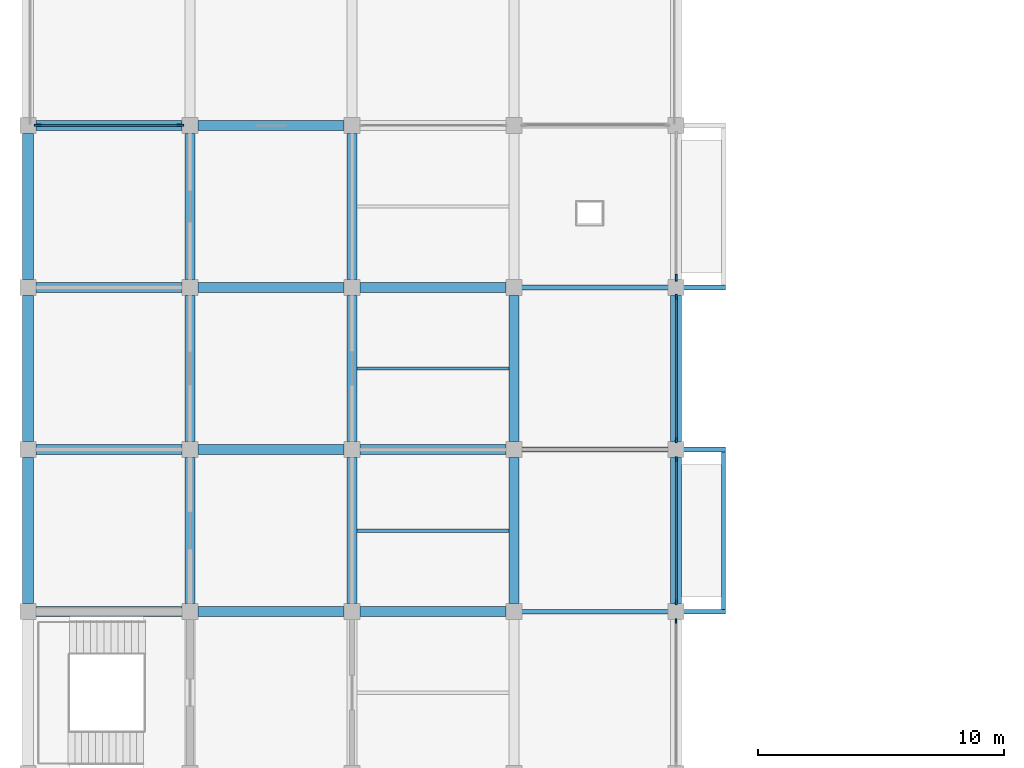
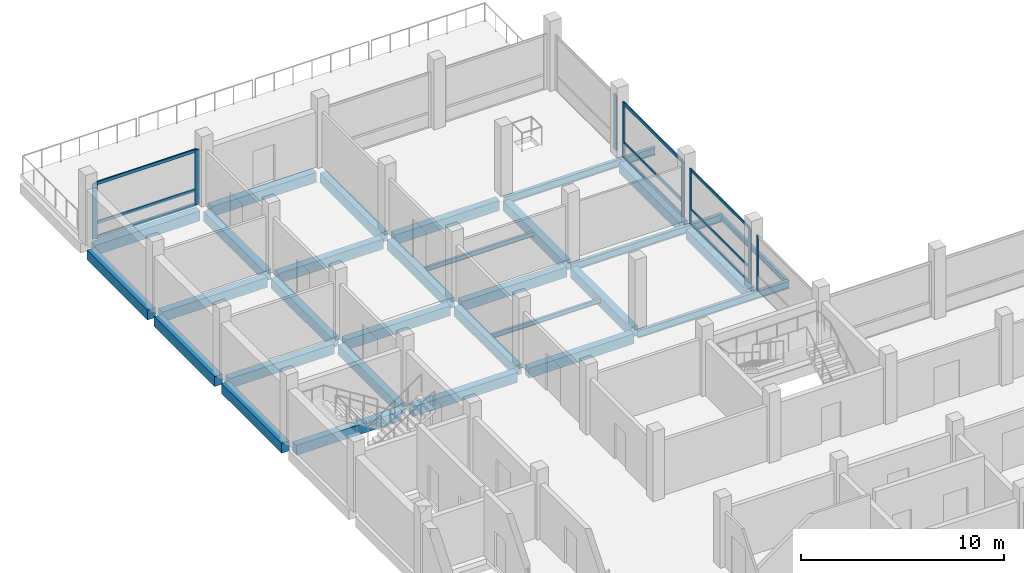
# One storey, part 4 of 11: 30 beams, 17 members, 5 elements without a shape of their own.
"""IFC4 building model written with IfcOpenShell, lengths in metres."""

from ifc_helpers import new_model, si_unit, direction, frame, origin, origin_2d, place, context, subcontext, project, spatial, rectangle, i_section, extrude, material, material_profile, profile_set, type_object, element, aggregate, save


model = new_model("IFC4")

# Units and contexts
model_context = context("Model", 3, precision=1e-05, world=origin(), true_north=direction((0.0, 1.0)))
body_context = subcontext(model_context, "Body", "Model", "MODEL_VIEW")
ifc_project = project(units=[si_unit("LENGTHUNIT", "METRE"), si_unit("AREAUNIT", "SQUARE_METRE"), si_unit("VOLUMEUNIT", "CUBIC_METRE"), si_unit("PLANEANGLEUNIT", "RADIAN"), si_unit("MASSUNIT", "GRAM", prefix="KILO")], contexts=[model_context])

# Site, building, storey
site_placement = place(None, origin())
site = spatial("IfcSite", under=ifc_project, at=site_placement, CompositionType="ELEMENT")
building_placement = place(site_placement, origin())
building = spatial("IfcBuilding", under=site, at=building_placement, Name="Rusizi Kubbe Research Institute", CompositionType="ELEMENT")
storey_placement = place(building_placement, frame((0.0, 0.0, 56.39990234375)))
storey = spatial("IfcBuildingStorey", under=building, at=storey_placement, Name="L13", CompositionType="ELEMENT", Elevation=56.39990234375)

# Beams
ifc_material_1 = material(Name="Steel S355", Category="steel")
ifc_material_profile_1 = material_profile(ifc_material_1, i_section(OverallWidth=0.135009765625, OverallDepth=0.27001953125, WebThickness=0.006591796875, FlangeThickness=0.01025390625, at=origin_2d()), Name="IPE 270")
ifc_profile_set_1 = profile_set([ifc_material_profile_1], Name="Steel S355")
beam_type_1 = type_object("IfcBeamType", Name="BM-IPE270", PredefinedType="JOIST", material=ifc_profile_set_1)
for number, where, z_axis, x_axis, name in (
    (1, (13.39990234375, 36.300048828125, -0.434814453125), (1.0, 0.0, 0.0), (0.0, 1.0, 0.0), "Lab Stiffener Joist L13 (2,5)"),
    (2, (13.39990234375, 42.89990234375, -0.434814453125), (1.0, 0.0, 0.0), (0.0, 1.0, 0.0), "Lab Stiffener Joist L13 (2,6)"),
):
    element("IfcBeam", number, at=place(storey_placement, frame(where, z_axis=z_axis, x_axis=x_axis)), inside=storey, type_object=beam_type_1, Name=name, PredefinedType="JOIST", context=body_context, shape_type="SweptSolid", body=[
        extrude(i_section(OverallWidth=0.135009765625, OverallDepth=0.27001953125, WebThickness=0.006591796875, FlangeThickness=0.01025390625, at=origin_2d()), origin(), (0.0, 0.0, 1.0), 6.2001953125),
    ])
ifc_material_2 = material(Name="Steel S355", Category="steel")
ifc_material_profile_2 = material_profile(ifc_material_2, i_section(OverallWidth=0.14990234375, OverallDepth=0.300048828125, WebThickness=0.007080078125, FlangeThickness=0.0107421875, at=origin_2d()), Name="IPE 300")
ifc_profile_set_2 = profile_set([ifc_material_profile_2], Name="Steel S355")
beam_type_2 = type_object("IfcBeamType", Name="BM-IPE300", PredefinedType="BEAM", material=ifc_profile_set_2)
beam_1_placement = place(storey_placement, frame((28.324951171875, 33.094970703125, -0.449951171875), z_axis=(0.0, 1.0, 0.0), x_axis=(-1.0, 0.0, 0.0)))
element("IfcBeam", 3, at=beam_1_placement, inside=storey, type_object=beam_type_2, Name="Cumba Edge Tie Beam L13-1", PredefinedType="BEAM", context=body_context, shape_type="SweptSolid", body=[
    extrude(i_section(OverallWidth=0.14990234375, OverallDepth=0.300048828125, WebThickness=0.007080078125, FlangeThickness=0.0107421875, at=origin_2d()), origin(), (0.0, 0.0, 1.0), 6.409912109375),
])
ifc_material_3 = material(Name="Steel S355", Category="steel")
ifc_material_profile_3 = material_profile(ifc_material_3, i_section(OverallWidth=0.18994140625, OverallDepth=0.449951171875, WebThickness=0.009521484375, FlangeThickness=0.0146484375, at=origin_2d()), Name="IPE 450")
ifc_profile_set_3 = profile_set([ifc_material_profile_3], Name="Steel S355")
beam_type_3 = type_object("IfcBeamType", Name="BM-IPE450", PredefinedType="BEAM", material=ifc_profile_set_3)
for number, where, z_axis, x_axis, name in (
    (4, (19.800048828125, 33.0, -0.52490234375), (1.0, 0.0, 0.0), (0.0, 1.0, 0.0), "Cumba Back-Spanned Cantilever Beam L13-1S"),
    (5, (19.800048828125, 39.60009765625, -0.52490234375), (1.0, 0.0, 0.0), (0.0, 1.0, 0.0), "Cumba Back-Spanned Cantilever Beam L13-1N"),
    (6, (19.800048828125, 46.199951171875, -0.52490234375), (1.0, 0.0, 0.0), (0.0, 1.0, 0.0), "Cumba Back-Spanned Cantilever Beam L13-2S"),
):
    element("IfcBeam", number, at=place(storey_placement, frame(where, z_axis=z_axis, x_axis=x_axis)), inside=storey, type_object=beam_type_3, Name=name, PredefinedType="BEAM", context=body_context, shape_type="SweptSolid", body=[
        extrude(i_section(OverallWidth=0.18994140625, OverallDepth=0.449951171875, WebThickness=0.009521484375, FlangeThickness=0.0146484375, at=origin_2d()), origin(), (0.0, 0.0, 1.0), 8.599853515625),
    ])
ifc_material_4 = material(Name="Concrete C40/50", Category="concrete")
ifc_material_profile_4 = material_profile(ifc_material_4, rectangle(XDim=0.39990234375, YDim=0.60009765625, at=origin_2d()), Name="RC400x600")
ifc_profile_set_4 = profile_set([ifc_material_profile_4], Name="Concrete C40/50")
beam_type_4 = type_object("IfcBeamType", Name="BM-RC400x600", PredefinedType="BEAM", material=ifc_profile_set_4)
for number, where, z_axis, x_axis, name in (
    (7, (0.324951171875, 33.0, -0.599853515625), (1.0, 0.0, 0.0), (0.0, 1.0, 0.0), "Grid Beam H L13 (0,5)"),
    (8, (0.324951171875, 39.60009765625, -0.599853515625), (1.0, 0.0, 0.0), (0.0, 1.0, 0.0), "Grid Beam H L13 (0,6)"),
    (9, (0.324951171875, 46.199951171875, -0.599853515625), (1.0, 0.0, 0.0), (0.0, 1.0, 0.0), "Grid Beam H L13 (0,7)"),
    (10, (0.324951171875, 52.800048828125, -0.599853515625), (1.0, 0.0, 0.0), (0.0, 1.0, 0.0), "Grid Beam H L13 (0,8)"),
    (11, (6.925048828125, 33.0, -0.599853515625), (1.0, 0.0, 0.0), (0.0, 1.0, 0.0), "Grid Beam H L13 (1,5)"),
    (12, (6.925048828125, 39.60009765625, -0.599853515625), (1.0, 0.0, 0.0), (0.0, 1.0, 0.0), "Grid Beam H L13 (1,6)"),
    (13, (6.925048828125, 46.199951171875, -0.599853515625), (1.0, 0.0, 0.0), (0.0, 1.0, 0.0), "Grid Beam H L13 (1,7)"),
    (14, (6.925048828125, 52.800048828125, -0.599853515625), (1.0, 0.0, 0.0), (0.0, 1.0, 0.0), "Grid Beam H L13 (1,8)"),
):
    element("IfcBeam", number, at=place(storey_placement, frame(where, z_axis=z_axis, x_axis=x_axis)), inside=storey, type_object=beam_type_4, Name=name, PredefinedType="BEAM", context=body_context, shape_type="SweptSolid", body=[
        extrude(rectangle(XDim=0.39990234375, YDim=0.60009765625, at=origin_2d()), origin(), (0.0, 0.0, 1.0), 5.949951171875),
    ])
for number, where, z_axis, x_axis, name in (
    (15, (13.52490234375, 33.0, -0.599853515625), (1.0, 0.0, 0.0), (0.0, 1.0, 0.0), "Grid Beam H L13 (2,5)"),
    (16, (13.52490234375, 39.60009765625, -0.599853515625), (1.0, 0.0, 0.0), (0.0, 1.0, 0.0), "Grid Beam H L13 (2,6)"),
    (17, (13.52490234375, 46.199951171875, -0.599853515625), (1.0, 0.0, 0.0), (0.0, 1.0, 0.0), "Grid Beam H L13 (2,7)"),
):
    element("IfcBeam", number, at=place(storey_placement, frame(where, z_axis=z_axis, x_axis=x_axis)), inside=storey, type_object=beam_type_4, Name=name, PredefinedType="BEAM", context=body_context, shape_type="SweptSolid", body=[
        extrude(rectangle(XDim=0.39990234375, YDim=0.60009765625, at=origin_2d()), origin(), (0.0, 0.0, 1.0), 5.9501953125),
    ])
for number, where, z_axis, x_axis, name in (
    (18, (6.60009765625, 33.324951171875, -0.599853515625), (0.0, 1.0, 0.0), (-1.0, 0.0, 0.0), "Grid Beam V L13 (1,5)"),
    (19, (6.60009765625, 39.925048828125, -0.599853515625), (0.0, 1.0, 0.0), (-1.0, 0.0, 0.0), "Grid Beam V L13 (1,6)"),
):
    element("IfcBeam", number, at=place(storey_placement, frame(where, z_axis=z_axis, x_axis=x_axis)), inside=storey, type_object=beam_type_4, Name=name, PredefinedType="BEAM", context=body_context, shape_type="SweptSolid", body=[
        extrude(rectangle(XDim=0.39990234375, YDim=0.60009765625, at=origin_2d()), origin(), (0.0, 0.0, 1.0), 5.949951171875),
    ])
beam_2_placement = place(storey_placement, frame((6.60009765625, 46.52490234375, -0.599853515625), z_axis=(0.0, 1.0, 0.0), x_axis=(-1.0, 0.0, 0.0)))
element("IfcBeam", 20, at=beam_2_placement, inside=storey, type_object=beam_type_4, Name="Grid Beam V L13 (1,7)", PredefinedType="BEAM", context=body_context, shape_type="SweptSolid", body=[
    extrude(rectangle(XDim=0.39990234375, YDim=0.60009765625, at=origin_2d()), origin(), (0.0, 0.0, 1.0), 5.9501953125),
])
for number, where, z_axis, x_axis, name in (
    (21, (13.199951171875, 33.324951171875, -0.599853515625), (0.0, 1.0, 0.0), (-1.0, 0.0, 0.0), "Grid Beam V L13 (2,5)"),
    (22, (13.199951171875, 39.925048828125, -0.599853515625), (0.0, 1.0, 0.0), (-1.0, 0.0, 0.0), "Grid Beam V L13 (2,6)"),
):
    element("IfcBeam", number, at=place(storey_placement, frame(where, z_axis=z_axis, x_axis=x_axis)), inside=storey, type_object=beam_type_4, Name=name, PredefinedType="BEAM", context=body_context, shape_type="SweptSolid", body=[
        extrude(rectangle(XDim=0.39990234375, YDim=0.60009765625, at=origin_2d()), origin(), (0.0, 0.0, 1.0), 5.949951171875),
    ])
beam_3_placement = place(storey_placement, frame((13.199951171875, 46.52490234375, -0.599853515625), z_axis=(0.0, 1.0, 0.0), x_axis=(-1.0, 0.0, 0.0)))
element("IfcBeam", 23, at=beam_3_placement, inside=storey, type_object=beam_type_4, Name="Grid Beam V L13 (2,7)", PredefinedType="BEAM", context=body_context, shape_type="SweptSolid", body=[
    extrude(rectangle(XDim=0.39990234375, YDim=0.60009765625, at=origin_2d()), origin(), (0.0, 0.0, 1.0), 5.9501953125),
])
for number, where, z_axis, x_axis, name in (
    (24, (19.800048828125, 33.324951171875, -0.599853515625), (0.0, 1.0, 0.0), (-1.0, 0.0, 0.0), "Grid Beam V L13 (3,5)"),
    (25, (19.800048828125, 39.925048828125, -0.599853515625), (0.0, 1.0, 0.0), (-1.0, 0.0, 0.0), "Grid Beam V L13 (3,6)"),
):
    element("IfcBeam", number, at=place(storey_placement, frame(where, z_axis=z_axis, x_axis=x_axis)), inside=storey, type_object=beam_type_4, Name=name, PredefinedType="BEAM", context=body_context, shape_type="SweptSolid", body=[
        extrude(rectangle(XDim=0.39990234375, YDim=0.60009765625, at=origin_2d()), origin(), (0.0, 0.0, 1.0), 5.949951171875),
    ])
ifc_material_5 = material(Name="Concrete C40/50", Category="concrete")
ifc_material_profile_5 = material_profile(ifc_material_5, rectangle(XDim=0.449951171875, YDim=0.60009765625, at=origin_2d()), Name="RC450x600")
ifc_profile_set_5 = profile_set([ifc_material_profile_5], Name="Concrete C40/50")
beam_type_5 = type_object("IfcBeamType", Name="BM-RC450x600", PredefinedType="SPANDREL", material=ifc_profile_set_5)
for number, where, z_axis, x_axis, name in (
    (26, (0.0, 33.324951171875, -0.599853515625), (0.0, 1.0, 0.0), (-1.0, 0.0, 0.0), "Grid Beam V L13 (0,5)"),
    (27, (0.0, 39.925048828125, -0.599853515625), (0.0, 1.0, 0.0), (-1.0, 0.0, 0.0), "Grid Beam V L13 (0,6)"),
):
    element("IfcBeam", number, at=place(storey_placement, frame(where, z_axis=z_axis, x_axis=x_axis)), inside=storey, type_object=beam_type_5, Name=name, PredefinedType="SPANDREL", context=body_context, shape_type="SweptSolid", body=[
        extrude(rectangle(XDim=0.449951171875, YDim=0.60009765625, at=origin_2d()), origin(), (0.0, 0.0, 1.0), 5.949951171875),
    ])
beam_4_placement = place(storey_placement, frame((0.0, 46.52490234375, -0.599853515625), z_axis=(0.0, 1.0, 0.0), x_axis=(-1.0, 0.0, 0.0)))
element("IfcBeam", 28, at=beam_4_placement, inside=storey, type_object=beam_type_5, Name="Grid Beam V L13 (0,7)", PredefinedType="SPANDREL", context=body_context, shape_type="SweptSolid", body=[
    extrude(rectangle(XDim=0.449951171875, YDim=0.60009765625, at=origin_2d()), origin(), (0.0, 0.0, 1.0), 5.9501953125),
])
for number, where, z_axis, x_axis, name in (
    (29, (26.39990234375, 33.324951171875, -0.599853515625), (0.0, 1.0, 0.0), (-1.0, 0.0, 0.0), "Grid Beam V L13 (4,5)"),
    (30, (26.39990234375, 39.925048828125, -0.599853515625), (0.0, 1.0, 0.0), (-1.0, 0.0, 0.0), "Grid Beam V L13 (4,6)"),
):
    element("IfcBeam", number, at=place(storey_placement, frame(where, z_axis=z_axis, x_axis=x_axis)), inside=storey, type_object=beam_type_5, Name=name, PredefinedType="SPANDREL", context=body_context, shape_type="SweptSolid", body=[
        extrude(rectangle(XDim=0.449951171875, YDim=0.60009765625, at=origin_2d()), origin(), (0.0, 0.0, 1.0), 5.949951171875),
    ])

# Curtain wall, member
ifc_material_6 = material(Name="Thermally Broken Aluminium and Low-E Glazing", Category="aluminium")
curtain_wall_type_1 = type_object("IfcCurtainWallType", Name="CW-14", PredefinedType="NOTDEFINED", material=ifc_material_6)
curtain_wall_1_placement = place(storey_placement, origin())
curtain_wall_1 = element("IfcCurtainWall", 31, at=curtain_wall_1_placement, inside=storey, type_object=curtain_wall_type_1, Name="Unitised Facade Curtain Wall CW-L13-V-04-04", PredefinedType="NOTDEFINED")
ifc_material_7 = material(Name="Aluminium Alloy 6063-T6", Category="aluminium")
ifc_material_profile_6 = material_profile(ifc_material_7, rectangle(XDim=0.06005859375, YDim=0.179931640625, at=origin_2d()), Name="ALU-M 60x180")
ifc_profile_set_6 = profile_set([ifc_material_profile_6], Name="Aluminium Alloy 6063-T6")
member_type_1 = type_object("IfcMemberType", Name="ML-02", PredefinedType="MULLION", material=ifc_profile_set_6)
member_1_placement = place(storey_placement, frame((26.39990234375, 32.614990234375, 0.0), z_axis=(0.0, 0.0, 1.0), x_axis=(-1.0, 0.0, 0.0)))
member_1 = element("IfcMember", 32, at=member_1_placement, type_object=member_type_1, Name="CW-14 mullion 2", PredefinedType="MULLION", context=body_context, shape_type="SweptSolid", body=[
    extrude(rectangle(XDim=0.06005859375, YDim=0.179931640625, at=origin_2d()), origin(), (0.0, 0.0, 1.0), 3.300048828125),
])
aggregate(curtain_wall_1, [member_1])

# Curtain wall, members
ifc_material_8 = material(Name="Thermally Broken Aluminium and Low-E Glazing", Category="aluminium")
curtain_wall_type_2 = type_object("IfcCurtainWallType", Name="CW-15", PredefinedType="NOTDEFINED", material=ifc_material_8)
curtain_wall_2_placement = place(storey_placement, origin())
curtain_wall_2 = element("IfcCurtainWall", 33, at=curtain_wall_2_placement, inside=storey, type_object=curtain_wall_type_2, Name="Unitised Facade Curtain Wall CW-L13-V-04-05", PredefinedType="NOTDEFINED")
ifc_material_9 = material(Name="Aluminium Alloy 6063-T6", Category="aluminium")
ifc_material_profile_7 = material_profile(ifc_material_9, rectangle(XDim=0.06494140625, YDim=0.199951171875, at=origin_2d()), Name="ALU-M 65x200")
ifc_profile_set_7 = profile_set([ifc_material_profile_7], Name="Aluminium Alloy 6063-T6")
member_type_2 = type_object("IfcMemberType", Name="ML-03", PredefinedType="MULLION", material=ifc_profile_set_7)
member_2_placement = place(storey_placement, frame((26.39990234375, 33.387451171875, 0.0), z_axis=(0.0, 0.0, 1.0), x_axis=(-1.0, 0.0, 0.0)))
member_2 = element("IfcMember", 34, at=member_2_placement, type_object=member_type_2, Name="CW-15 mullion 1", PredefinedType="MULLION", context=body_context, shape_type="SweptSolid", body=[
    extrude(rectangle(XDim=0.06494140625, YDim=0.199951171875, at=origin_2d()), origin(), (0.0, 0.0, 1.0), 3.300048828125),
])
member_3_placement = place(storey_placement, frame((26.39990234375, 39.21240234375, 0.0), z_axis=(0.0, 0.0, 1.0), x_axis=(-1.0, 0.0, 0.0)))
member_3 = element("IfcMember", 35, at=member_3_placement, type_object=member_type_2, Name="CW-15 mullion 2", PredefinedType="MULLION", context=body_context, shape_type="SweptSolid", body=[
    extrude(rectangle(XDim=0.06494140625, YDim=0.199951171875, at=origin_2d()), origin(), (0.0, 0.0, 1.0), 3.300048828125),
])

curtain_wall_3_placement = place(storey_placement, origin())
curtain_wall_3 = element("IfcCurtainWall", 36, at=curtain_wall_3_placement, inside=storey, type_object=curtain_wall_type_1, Name="Unitised Facade Curtain Wall CW-L13-V-04-06", PredefinedType="NOTDEFINED")
ifc_material_10 = material(Name="Aluminium Alloy 6063-T6", Category="aluminium")
ifc_material_profile_8 = material_profile(ifc_material_10, rectangle(XDim=0.070068359375, YDim=0.219970703125, at=origin_2d()), Name="ALU-M 70x220")
ifc_profile_set_8 = profile_set([ifc_material_profile_8], Name="Aluminium Alloy 6063-T6")
member_type_3 = type_object("IfcMemberType", Name="ML-04", PredefinedType="MULLION", material=ifc_profile_set_8)
member_4_placement = place(storey_placement, frame((26.39990234375, 39.989990234375, 0.0), z_axis=(0.0, 0.0, 1.0), x_axis=(-1.0, 0.0, 0.0)))
member_4 = element("IfcMember", 37, at=member_4_placement, type_object=member_type_3, Name="CW-14 mullion 1", PredefinedType="MULLION", context=body_context, shape_type="SweptSolid", body=[
    extrude(rectangle(XDim=0.070068359375, YDim=0.219970703125, at=origin_2d()), origin(), (0.0, 0.0, 1.0), 3.300048828125),
])
member_5_placement = place(storey_placement, frame((26.39990234375, 45.81005859375, 0.0), z_axis=(0.0, 0.0, 1.0), x_axis=(-1.0, 0.0, 0.0)))
member_5 = element("IfcMember", 38, at=member_5_placement, type_object=member_type_3, Name="CW-14 mullion 2", PredefinedType="MULLION", context=body_context, shape_type="SweptSolid", body=[
    extrude(rectangle(XDim=0.070068359375, YDim=0.219970703125, at=origin_2d()), origin(), (0.0, 0.0, 1.0), 3.300048828125),
])

curtain_wall_4_placement = place(storey_placement, origin())
curtain_wall_4 = element("IfcCurtainWall", 39, at=curtain_wall_4_placement, inside=storey, type_object=curtain_wall_type_1, Name="Unitised Facade Curtain Wall CW-L13-H-00-08", PredefinedType="NOTDEFINED")
ifc_material_11 = material(Name="Aluminium Alloy 6063-T6", Category="aluminium")
ifc_material_profile_9 = material_profile(ifc_material_11, rectangle(XDim=0.080078125, YDim=0.280029296875, at=origin_2d()), Name="ALU-M 80x280")
ifc_profile_set_9 = profile_set([ifc_material_profile_9], Name="Aluminium Alloy 6063-T6")
member_type_4 = type_object("IfcMemberType", Name="ML-06", PredefinedType="MULLION", material=ifc_profile_set_9)
member_6_placement = place(storey_placement, frame((0.39501953125, 52.800048828125, 0.0), z_axis=(0.0, 0.0, 1.0), x_axis=(0.0, 1.0, 0.0)))
member_6 = element("IfcMember", 40, at=member_6_placement, type_object=member_type_4, Name="CW-14 mullion 1", PredefinedType="MULLION", context=body_context, shape_type="SweptSolid", body=[
    extrude(rectangle(XDim=0.080078125, YDim=0.280029296875, at=origin_2d()), origin(), (0.0, 0.0, 1.0), 3.300048828125),
])
member_7_placement = place(storey_placement, frame((6.205078125, 52.800048828125, 0.0), z_axis=(0.0, 0.0, 1.0), x_axis=(0.0, 1.0, 0.0)))
member_7 = element("IfcMember", 41, at=member_7_placement, type_object=member_type_4, Name="CW-14 mullion 2", PredefinedType="MULLION", context=body_context, shape_type="SweptSolid", body=[
    extrude(rectangle(XDim=0.080078125, YDim=0.280029296875, at=origin_2d()), origin(), (0.0, 0.0, 1.0), 3.300048828125),
])

# Curtain wall, member
curtain_wall_5_placement = place(storey_placement, origin())
curtain_wall_5 = element("IfcCurtainWall", 42, at=curtain_wall_5_placement, inside=storey, type_object=curtain_wall_type_1, Name="Unitised Facade Curtain Wall CW-L13-V-04-07", PredefinedType="NOTDEFINED")
member_8_placement = place(storey_placement, frame((26.39990234375, 46.594970703125, 0.0), z_axis=(0.0, 0.0, 1.0), x_axis=(-1.0, 0.0, 0.0)))
member_8 = element("IfcMember", 43, at=member_8_placement, type_object=member_type_4, Name="CW-14 mullion 1", PredefinedType="MULLION", context=body_context, shape_type="SweptSolid", body=[
    extrude(rectangle(XDim=0.080078125, YDim=0.280029296875, at=origin_2d()), origin(), (0.0, 0.0, 1.0), 3.300048828125),
])
aggregate(curtain_wall_5, [member_8])

# Member
ifc_material_12 = material(Name="Aluminium Alloy 6063-T6", Category="aluminium")
ifc_material_profile_10 = material_profile(ifc_material_12, rectangle(XDim=0.06494140625, YDim=0.159912109375, at=origin_2d()), Name="ALU-T 65x160")
ifc_profile_set_10 = profile_set([ifc_material_profile_10], Name="Aluminium Alloy 6063-T6")
member_type_5 = type_object("IfcMemberType", Name="TR-03", PredefinedType="USERDEFINED", material=ifc_profile_set_10)
member_9_placement = place(storey_placement, frame((26.39990234375, 33.419921875, 0.03271484375), z_axis=(0.0, 1.0, 0.0), x_axis=(-1.0, 0.0, 0.0)))
member_9 = element("IfcMember", 44, at=member_9_placement, type_object=member_type_5, Name="CW-15 transom 1.1", ObjectType="TRANSOM", PredefinedType="USERDEFINED", context=body_context, shape_type="SweptSolid", body=[
    extrude(rectangle(XDim=0.06494140625, YDim=0.159912109375, at=origin_2d()), origin(), (0.0, 0.0, 1.0), 5.760009765625),
])

member_10_placement = place(storey_placement, frame((26.39990234375, 33.419921875, 0.900146484375), z_axis=(0.0, 1.0, 0.0), x_axis=(-1.0, 0.0, 0.0)))
member_10 = element("IfcMember", 45, at=member_10_placement, type_object=member_type_5, Name="CW-15 transom 1.2", ObjectType="TRANSOM", PredefinedType="USERDEFINED", context=body_context, shape_type="SweptSolid", body=[
    extrude(rectangle(XDim=0.06494140625, YDim=0.159912109375, at=origin_2d()), origin(), (0.0, 0.0, 1.0), 5.760009765625),
])

member_11_placement = place(storey_placement, frame((26.39990234375, 33.419921875, 3.267578125), z_axis=(0.0, 1.0, 0.0), x_axis=(-1.0, 0.0, 0.0)))
member_11 = element("IfcMember", 46, at=member_11_placement, type_object=member_type_5, Name="CW-15 transom 1.3", ObjectType="TRANSOM", PredefinedType="USERDEFINED", context=body_context, shape_type="SweptSolid", body=[
    extrude(rectangle(XDim=0.06494140625, YDim=0.159912109375, at=origin_2d()), origin(), (0.0, 0.0, 1.0), 5.760009765625),
])

aggregate(curtain_wall_2, [member_2, member_3, member_9, member_10, member_11])

ifc_material_13 = material(Name="Aluminium Alloy 6063-T6", Category="aluminium")
ifc_material_profile_11 = material_profile(ifc_material_13, rectangle(XDim=0.070068359375, YDim=0.18994140625, at=origin_2d()), Name="ALU-T 70x190")
ifc_profile_set_11 = profile_set([ifc_material_profile_11], Name="Aluminium Alloy 6063-T6")
member_type_6 = type_object("IfcMemberType", Name="TR-04", PredefinedType="USERDEFINED", material=ifc_profile_set_11)
member_12_placement = place(storey_placement, frame((0.43505859375, 52.800048828125, 0.03515625), z_axis=(1.0, 0.0, 0.0), x_axis=(0.0, 1.0, 0.0)))
member_12 = element("IfcMember", 47, at=member_12_placement, type_object=member_type_6, Name="CW-14 transom 1.1", ObjectType="TRANSOM", PredefinedType="USERDEFINED", context=body_context, shape_type="SweptSolid", body=[
    extrude(rectangle(XDim=0.070068359375, YDim=0.18994140625, at=origin_2d()), origin(), (0.0, 0.0, 1.0), 5.72998046875),
])

member_13_placement = place(storey_placement, frame((0.43505859375, 52.800048828125, 0.900146484375), z_axis=(1.0, 0.0, 0.0), x_axis=(0.0, 1.0, 0.0)))
member_13 = element("IfcMember", 48, at=member_13_placement, type_object=member_type_6, Name="CW-14 transom 1.2", ObjectType="TRANSOM", PredefinedType="USERDEFINED", context=body_context, shape_type="SweptSolid", body=[
    extrude(rectangle(XDim=0.070068359375, YDim=0.18994140625, at=origin_2d()), origin(), (0.0, 0.0, 1.0), 5.72998046875),
])

member_14_placement = place(storey_placement, frame((0.43505859375, 52.800048828125, 3.26513671875), z_axis=(1.0, 0.0, 0.0), x_axis=(0.0, 1.0, 0.0)))
member_14 = element("IfcMember", 49, at=member_14_placement, type_object=member_type_6, Name="CW-14 transom 1.3", ObjectType="TRANSOM", PredefinedType="USERDEFINED", context=body_context, shape_type="SweptSolid", body=[
    extrude(rectangle(XDim=0.070068359375, YDim=0.18994140625, at=origin_2d()), origin(), (0.0, 0.0, 1.0), 5.72998046875),
])

aggregate(curtain_wall_4, [member_6, member_7, member_12, member_13, member_14])

member_15_placement = place(storey_placement, frame((26.39990234375, 40.02490234375, 0.03515625), z_axis=(0.0, 1.0, 0.0), x_axis=(-1.0, 0.0, 0.0)))
member_15 = element("IfcMember", 50, at=member_15_placement, type_object=member_type_6, Name="CW-14 transom 1.1", ObjectType="TRANSOM", PredefinedType="USERDEFINED", context=body_context, shape_type="SweptSolid", body=[
    extrude(rectangle(XDim=0.070068359375, YDim=0.18994140625, at=origin_2d()), origin(), (0.0, 0.0, 1.0), 5.75),
])

member_16_placement = place(storey_placement, frame((26.39990234375, 40.02490234375, 0.900146484375), z_axis=(0.0, 1.0, 0.0), x_axis=(-1.0, 0.0, 0.0)))
member_16 = element("IfcMember", 51, at=member_16_placement, type_object=member_type_6, Name="CW-14 transom 1.2", ObjectType="TRANSOM", PredefinedType="USERDEFINED", context=body_context, shape_type="SweptSolid", body=[
    extrude(rectangle(XDim=0.070068359375, YDim=0.18994140625, at=origin_2d()), origin(), (0.0, 0.0, 1.0), 5.75),
])

member_17_placement = place(storey_placement, frame((26.39990234375, 40.02490234375, 3.26513671875), z_axis=(0.0, 1.0, 0.0), x_axis=(-1.0, 0.0, 0.0)))
member_17 = element("IfcMember", 52, at=member_17_placement, type_object=member_type_6, Name="CW-14 transom 1.3", ObjectType="TRANSOM", PredefinedType="USERDEFINED", context=body_context, shape_type="SweptSolid", body=[
    extrude(rectangle(XDim=0.070068359375, YDim=0.18994140625, at=origin_2d()), origin(), (0.0, 0.0, 1.0), 5.75),
])

aggregate(curtain_wall_3, [member_4, member_5, member_15, member_16, member_17])

save(model, "model.ifc")
